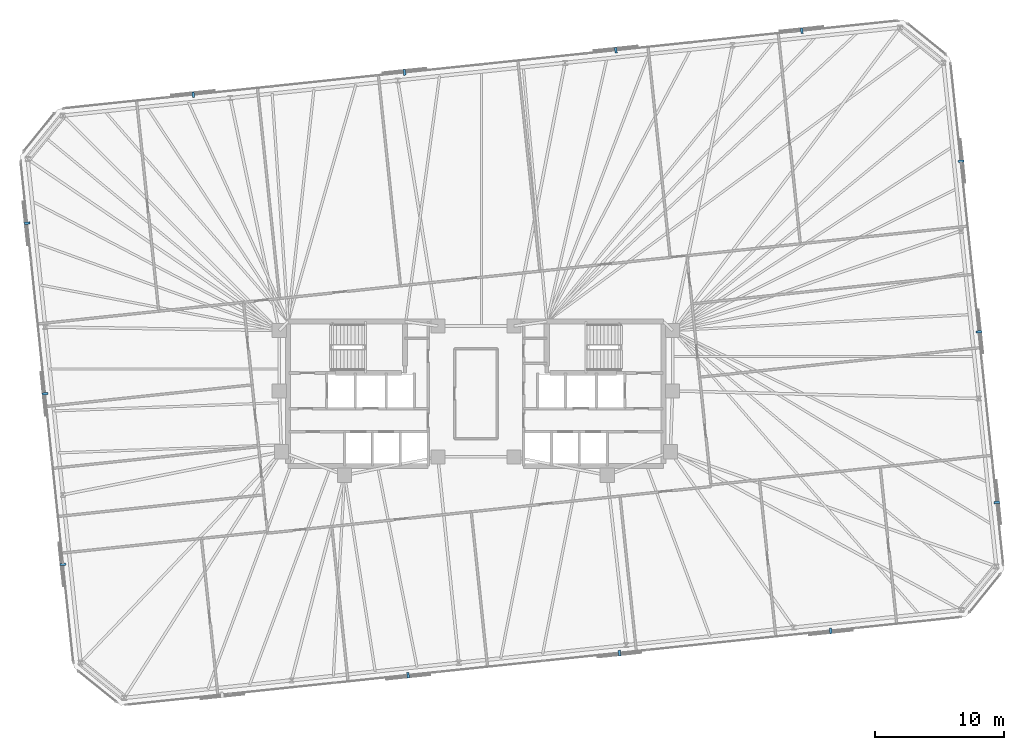
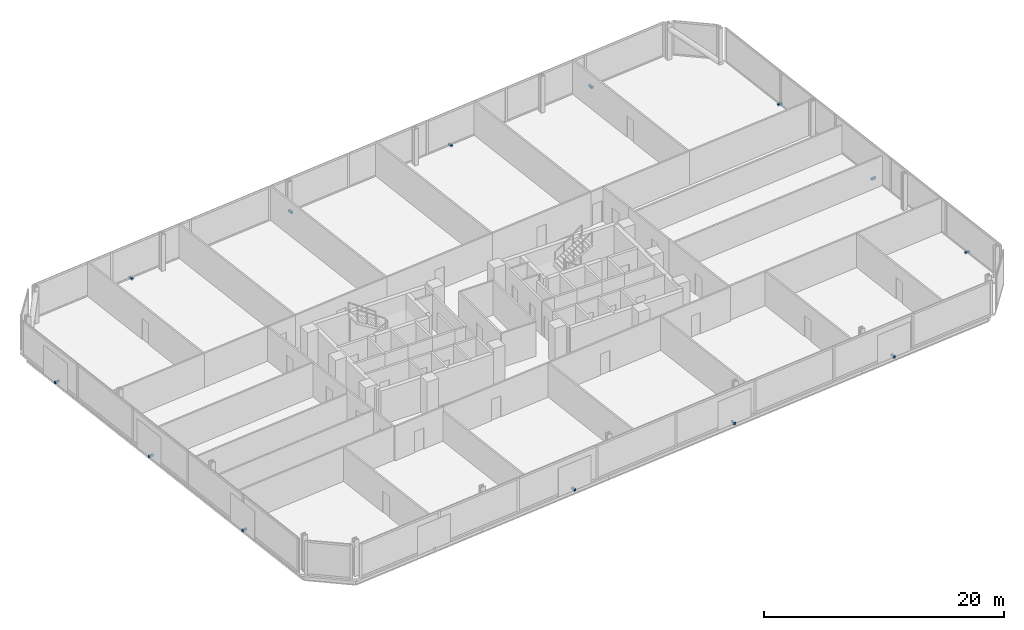
# One storey, part 17 of 18: 13 discrete accessories.
"""IFC4 building model written with IfcOpenShell, lengths in metres."""

from ifc_helpers import new_model, si_unit, direction, frame, origin, origin_2d, place, context, subcontext, project, spatial, rectangle, extrude, material, type_object, element, save


model = new_model("IFC4")

# Units and contexts
model_context = context("Model", 3, precision=1e-05, world=origin(), true_north=direction((0.0, 1.0)))
body_context = subcontext(model_context, "Body", "Model", "MODEL_VIEW")
ifc_project = project(units=[si_unit("LENGTHUNIT", "METRE"), si_unit("AREAUNIT", "SQUARE_METRE"), si_unit("VOLUMEUNIT", "CUBIC_METRE"), si_unit("PLANEANGLEUNIT", "RADIAN"), si_unit("MASSUNIT", "GRAM", prefix="KILO")], contexts=[model_context])

# Site, building, storey
site_placement = place(None, origin())
site = spatial("IfcSite", under=ifc_project, at=site_placement, CompositionType="ELEMENT")
building_placement = place(site_placement, origin())
building = spatial("IfcBuilding", under=site, at=building_placement, Name="Menara Jurai Vektor", CompositionType="ELEMENT")
storey_placement = place(building_placement, frame((0.0, 0.0, 120.699951171875)))
storey = spatial("IfcBuildingStorey", under=building, at=storey_placement, Name="L30", CompositionType="ELEMENT", Elevation=120.699951171875)

# Discrete accessories
ifc_material = material(Name="Steel S355", Category="steel")
discrete_accessory_type = type_object("IfcDiscreteAccessoryType", Name="ENV-ACC-BRACKET", PredefinedType="BRACKET", material=ifc_material)
for number, where, z_axis, x_axis, name in (
    (1, (-5.2548828125, -21.834716796875, -0.1298828125), (0.0, 0.0, 1.0), (0.994521895368, 0.104528463268, 0.0), "Solar Screen Stand-Off Bracket L30-S02"),
    (2, (11.1298828125, -20.112548828125, -0.1298828125), (0.0, 0.0, 1.0), (0.994521895368, 0.104528463268, 0.0), "Solar Screen Stand-Off Bracket L30-S03"),
    (3, (27.5146484375, -18.390380859375, -0.1298828125), (0.0, 0.0, 1.0), (0.994521895368, 0.104528463268, 0.0), "Solar Screen Stand-Off Bracket L30-S04"),
    (4, (40.397705078125, -8.42578125, -0.1298828125), (0.0, 0.0, 1.0), (-0.104528463268, 0.994521895368, 0.0), "Solar Screen Stand-Off Bracket L30-S05"),
    (5, (39.00732421875, 4.80126953125, -0.1298828125), (0.0, 0.0, 1.0), (-0.104528463268, 0.994521895368, 0.0), "Solar Screen Stand-Off Bracket L30-S06"),
    (6, (37.6171875, 18.028564453125, -0.1298828125), (0.0, 0.0, 1.0), (-0.104528463268, 0.994521895368, 0.0), "Solar Screen Stand-Off Bracket L30-S07"),
    (7, (25.2734375, 28.150146484375, -0.1298828125), (0.0, 0.0, 1.0), (-0.994521895368, -0.104528463268, 0.0), "Solar Screen Stand-Off Bracket L30-S08"),
    (8, (10.85498046875, 26.634765625, -0.1298828125), (0.0, 0.0, 1.0), (-0.994521895368, -0.104528463268, 0.0), "Solar Screen Stand-Off Bracket L30-S09"),
    (9, (-5.52978515625, 24.91259765625, -0.1298828125), (0.0, 0.0, 1.0), (-0.994521895368, -0.104528463268, 0.0), "Solar Screen Stand-Off Bracket L30-S10"),
    (10, (-21.91455078125, 23.1904296875, -0.1298828125), (0.0, 0.0, 1.0), (-0.994521895368, -0.104528463268, 0.0), "Solar Screen Stand-Off Bracket L30-S11"),
    (11, (-34.797607421875, 13.225830078125, -0.1298828125), (0.0, 0.0, 1.0), (0.104528463268, -0.994521895368, 0.0), "Solar Screen Stand-Off Bracket L30-S12"),
    (12, (-33.407470703125, -0.001220703125, -0.1298828125), (0.0, 0.0, 1.0), (0.104528463268, -0.994521895368, 0.0), "Solar Screen Stand-Off Bracket L30-S13"),
    (13, (-32.01708984375, -13.228515625, -0.1298828125), (0.0, 0.0, 1.0), (0.104528463268, -0.994521895368, 0.0), "Solar Screen Stand-Off Bracket L30-S14"),
):
    element("IfcDiscreteAccessory", number, at=place(storey_placement, frame(where, z_axis=z_axis, x_axis=x_axis)), inside=storey, type_object=discrete_accessory_type, Name=name, PredefinedType="BRACKET", context=body_context, shape_type="SweptSolid", body=[
        extrude(rectangle(XDim=0.179931640625, YDim=0.43994140625, at=origin_2d()), origin(), (0.0, 0.0, 1.0), 0.219970703125),
    ])

save(model, "model.ifc")
